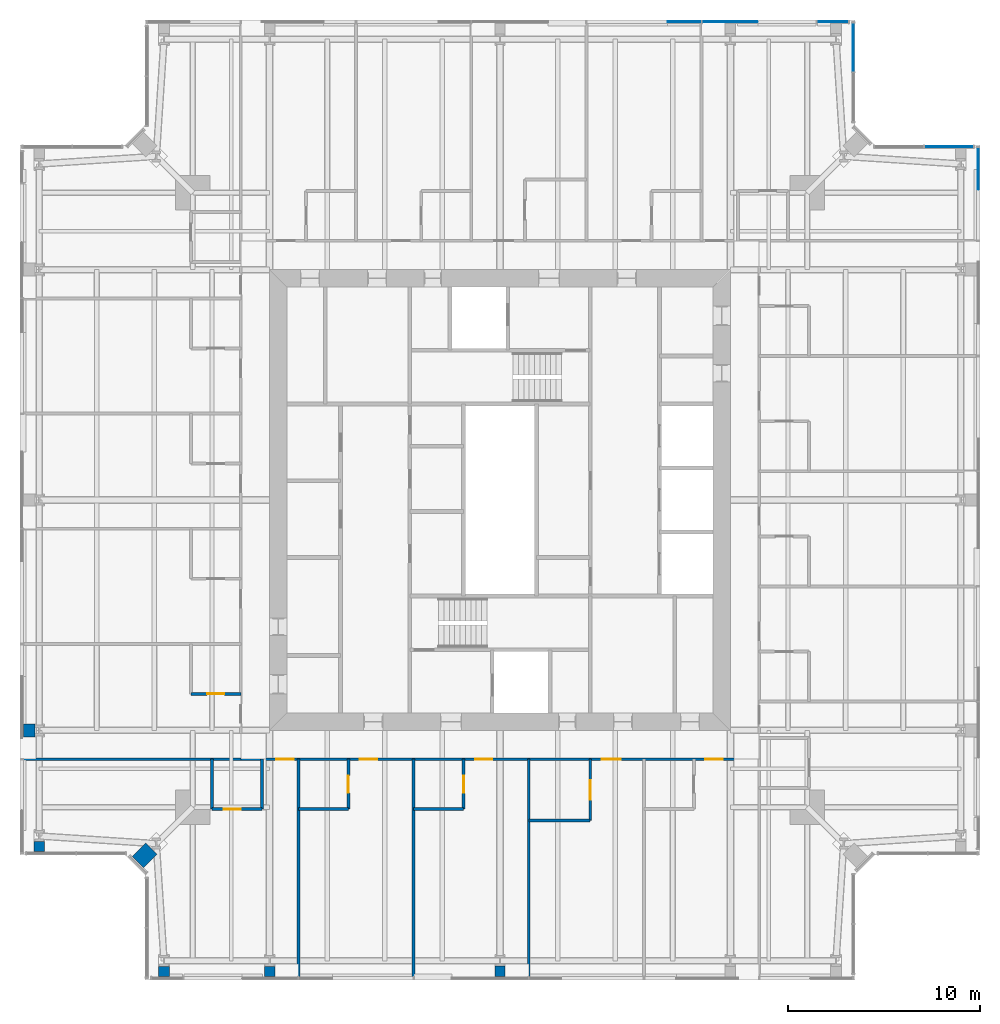
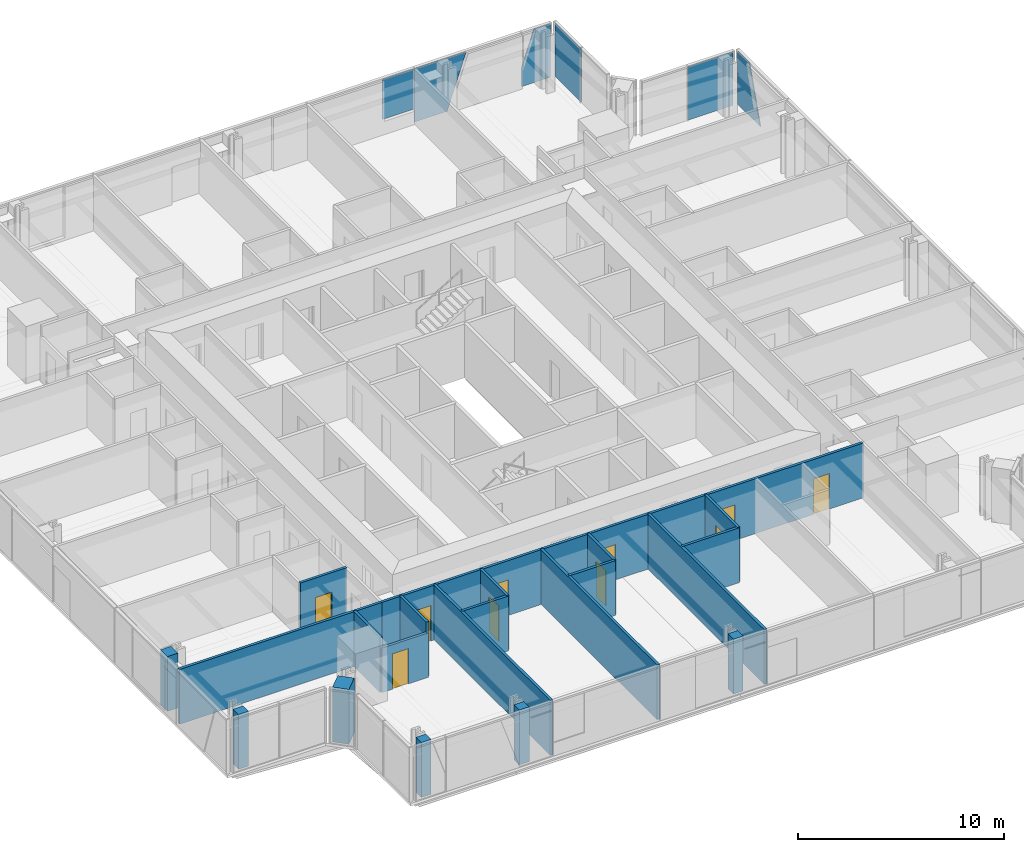
# One storey, part 11 of 20: 21 walls, 10 doors, 6 plates, 10 openings, 4 elements without a shape of their own.
"""IFC4 building model written with IfcOpenShell, lengths in metres."""

from ifc_helpers import new_model, si_unit, direction, frame, frame_2d, origin, origin_2d, place, context, subcontext, project, spatial, polyline, rectangle, outline, extrude, material, layer, layer_set, type_object, element, fill, aggregate, save


model = new_model("IFC4")

# Units and contexts
model_context = context("Model", 3, precision=1e-05, world=origin(), true_north=direction((0.0, 1.0)))
body_context = subcontext(model_context, "Body", "Model", "MODEL_VIEW")
ifc_project = project(units=[si_unit("LENGTHUNIT", "METRE"), si_unit("AREAUNIT", "SQUARE_METRE"), si_unit("VOLUMEUNIT", "CUBIC_METRE"), si_unit("PLANEANGLEUNIT", "RADIAN"), si_unit("MASSUNIT", "GRAM", prefix="KILO")], contexts=[model_context])

# Site, building, storey
site_placement = place(None, origin())
site = spatial("IfcSite", under=ifc_project, at=site_placement, CompositionType="ELEMENT")
building_placement = place(site_placement, origin())
building = spatial("IfcBuilding", under=site, at=building_placement, Name="Fenwick Lantern Interchange", CompositionType="ELEMENT")
storey_placement = place(building_placement, frame((0.0, 0.0, 245.800048828125)))
storey = spatial("IfcBuildingStorey", under=building, at=storey_placement, Name="L57", CompositionType="ELEMENT", Elevation=245.800048828125)

# Curtain wall, plate
ifc_material_1 = material(Name="Aluminium curtain wall frame", Category="aluminium")
curtain_wall_type = type_object("IfcCurtainWallType", Name="HOTEL CURTAIN WALL", PredefinedType="USERDEFINED", material=ifc_material_1)
curtain_wall_1_placement = place(storey_placement, origin())
curtain_wall_1 = element("IfcCurtainWall", 1, at=curtain_wall_1_placement, inside=storey, type_object=curtain_wall_type, Name="Hotel curtain wall 05", ObjectType="HOTEL CURTAIN WALL", PredefinedType="USERDEFINED")
ifc_material_2 = material(Name="Vision glass, acoustic laminated double glazed unit", Category="glass")
ifc_layer_1 = layer(ifc_material_2, 0.052001953125)
ifc_layer_set_1 = layer_set([ifc_layer_1], Name="HOTEL CURTAIN WALL PANEL 52")
plate_type = type_object("IfcPlateType", Name="HOTEL CURTAIN WALL PANEL 52", PredefinedType="CURTAIN_PANEL", material=ifc_layer_set_1)
plate_1_placement = place(storey_placement, frame((49.89990234375, 6.60009765625, 0.0), z_axis=(0.0, 0.0, 1.0), x_axis=(0.0, 1.0, 0.0)))
plate_1 = element("IfcPlate", 2, at=plate_1_placement, type_object=plate_type, Name="L57/CW/05/P06a", PredefinedType="CURTAIN_PANEL", context=body_context, shape_type="SweptSolid", body=[
    extrude(outline(polyline([(34.560791015625, 0.0), (36.739990234375, 0.0), (36.739990234375, 3.14990234375), (35.624267578125, 3.14990234375), (34.560791015625, 0.0)])), frame((0.0, 0.02587890625, 0.0), z_axis=(0.0, -1.0, 0.0), x_axis=(1.0, 0.0, 0.0)), (0.0, 0.0, 1.0), 0.052001953125),
])
aggregate(curtain_wall_1, [plate_1])

curtain_wall_2_placement = place(storey_placement, origin())
curtain_wall_2 = element("IfcCurtainWall", 3, at=curtain_wall_2_placement, inside=storey, type_object=curtain_wall_type, Name="Hotel curtain wall 06", ObjectType="HOTEL CURTAIN WALL", PredefinedType="USERDEFINED")
plate_2_placement = place(storey_placement, frame((48.374755859375, 43.39990234375, 0.0), z_axis=(0.0, 0.0, 1.0), x_axis=(-1.0, 0.0, 0.0)))
plate_2 = element("IfcPlate", 4, at=plate_2_placement, type_object=plate_type, Name="L57/CW/06/P00", PredefinedType="CURTAIN_PANEL", context=body_context, shape_type="SweptSolid", body=[
    extrude(rectangle(XDim=2.53076171875, YDim=0.052001953125, at=origin_2d()), origin(), (0.0, 0.0, 1.0), 3.14990234375),
])
aggregate(curtain_wall_2, [plate_2])

curtain_wall_3_placement = place(storey_placement, origin())
curtain_wall_3 = element("IfcCurtainWall", 5, at=curtain_wall_3_placement, inside=storey, type_object=curtain_wall_type, Name="Hotel curtain wall 08", ObjectType="HOTEL CURTAIN WALL", PredefinedType="USERDEFINED")
plate_3_placement = place(storey_placement, frame((43.39990234375, 48.57470703125, 0.0), z_axis=(0.0, 0.0, 1.0), x_axis=(0.0, 1.0, 0.0)))
plate_3 = element("IfcPlate", 6, at=plate_3_placement, type_object=plate_type, Name="L57/CW/08/P01", PredefinedType="CURTAIN_PANEL", context=body_context, shape_type="SweptSolid", body=[
    extrude(rectangle(XDim=2.53076171875, YDim=0.052001953125, at=origin_2d()), origin(), (0.0, 0.0, 1.0), 3.14990234375),
])
aggregate(curtain_wall_3, [plate_3])

# Curtain wall, plates
curtain_wall_4_placement = place(storey_placement, origin())
curtain_wall_4 = element("IfcCurtainWall", 7, at=curtain_wall_4_placement, inside=storey, type_object=curtain_wall_type, Name="Hotel curtain wall 09", ObjectType="HOTEL CURTAIN WALL", PredefinedType="USERDEFINED")
plate_4_placement = place(storey_placement, frame((43.39990234375, 49.89990234375, 0.0), z_axis=(0.0, 0.0, 1.0), x_axis=(-1.0, 0.0, 0.0)))
plate_4 = element("IfcPlate", 8, at=plate_4_placement, type_object=plate_type, Name="L57/CW/09/P00a", PredefinedType="CURTAIN_PANEL", context=body_context, shape_type="SweptSolid", body=[
    extrude(outline(polyline([(0.260009765625, 0.0), (1.8701171875, 0.0), (1.8701171875, 1.093505859375), (1.17578125, 3.14990234375), (0.260009765625, 3.14990234375), (0.260009765625, 0.0)])), frame((0.0, 0.02587890625, 0.0), z_axis=(0.0, -1.0, 0.0), x_axis=(1.0, 0.0, 0.0)), (0.0, 0.0, 1.0), 0.052001953125),
])
plate_5_placement = place(storey_placement, frame((43.39990234375, 49.89990234375, 0.0), z_axis=(0.0, 0.0, 1.0), x_axis=(-1.0, 0.0, 0.0)))
plate_5 = element("IfcPlate", 9, at=plate_5_placement, type_object=plate_type, Name="L57/CW/09/P01a", PredefinedType="CURTAIN_PANEL", context=body_context, shape_type="SweptSolid", body=[
    extrude(outline(polyline([(6.038818359375, 0.0), (7.8701171875, 0.0), (7.8701171875, 3.14990234375), (4.975341796875, 3.14990234375), (6.038818359375, 0.0)])), frame((0.0, 0.02587890625, 0.0), z_axis=(0.0, -1.0, 0.0), x_axis=(1.0, 0.0, 0.0)), (0.0, 0.0, 1.0), 0.052001953125),
])
plate_6_placement = place(storey_placement, frame((43.39990234375, 49.89990234375, 0.7841796875), z_axis=(0.0, 0.0, 1.0), x_axis=(-1.0, 0.0, 0.0)))
plate_6 = element("IfcPlate", 10, at=plate_6_placement, type_object=plate_type, Name="L57/CW/09/P02a", PredefinedType="CURTAIN_PANEL", context=body_context, shape_type="SweptSolid", body=[
    extrude(outline(polyline([(7.929931640625, 0.0), (9.675048828125, 0.0), (9.675048828125, 2.36572265625), (7.929931640625, 2.36572265625), (7.929931640625, 0.0)])), frame((0.0, 0.02587890625, 0.0), z_axis=(0.0, -1.0, 0.0), x_axis=(1.0, 0.0, 0.0)), (0.0, 0.0, 1.0), 0.052001953125),
])
aggregate(curtain_wall_4, [plate_4, plate_5, plate_6])

# Walls
ifc_material_3 = material(Name="Fire-rated gypsum board encasement on steel studs, 2 hour", Category="steel")
ifc_layer_2 = layer(ifc_material_3, 0.5419921875)
ifc_layer_set_2 = layer_set([ifc_layer_2], Name="COLUMN PIER 542")
wall_type_1 = type_object("IfcWallType", Name="COLUMN PIER 542", PredefinedType="PARTITIONING", material=ifc_layer_set_2)
wall_1_placement = place(storey_placement, frame((25.0, 0.18994140625, 0.0), z_axis=(0.0, 0.0, 1.0), x_axis=(0.0, 1.0, 0.0)))
element("IfcWall", 11, at=wall_1_placement, inside=storey, type_object=wall_type_1, Name="L57/W/PIER/CS3", PredefinedType="PARTITIONING", context=body_context, shape_type="SweptSolid", body=[
    extrude(rectangle(XDim=0.544677734375, YDim=0.5419921875, at=frame_2d((0.2724609375, 0.0))), origin(), (0.0, 0.0, 1.0), 3.25),
])
ifc_layer_3 = layer(ifc_material_3, 0.554931640625)
ifc_layer_set_3 = layer_set([ifc_layer_3], Name="COLUMN PIER 555")
wall_type_2 = type_object("IfcWallType", Name="COLUMN PIER 555", PredefinedType="PARTITIONING", material=ifc_layer_set_3)
for number, where, z_axis, x_axis, name in (
    (12, (7.5, 0.18994140625, 0.0), (0.0, 0.0, 1.0), (0.0, 1.0, 0.0), "L57/W/PIER/CS1"),
    (13, (13.0, 0.18994140625, 0.0), (0.0, 0.0, 1.0), (0.0, 1.0, 0.0), "L57/W/PIER/CS2"),
    (14, (1.0, 6.68994140625, 0.0), (0.0, 0.0, 1.0), (0.0, 1.0, 0.0), "L57/W/PIER/CW5"),
):
    element("IfcWall", number, at=place(storey_placement, frame(where, z_axis=z_axis, x_axis=x_axis)), inside=storey, type_object=wall_type_2, Name=name, PredefinedType="PARTITIONING", context=body_context, shape_type="SweptSolid", body=[
        extrude(rectangle(XDim=0.525634765625, YDim=0.554931640625, at=frame_2d((0.2626953125, 0.0))), origin(), (0.0, 0.0, 1.0), 3.25),
    ])
ifc_layer_4 = layer(ifc_material_3, 0.6689453125)
ifc_layer_set_4 = layer_set([ifc_layer_4], Name="COLUMN PIER 669")
wall_type_3 = type_object("IfcWallType", Name="COLUMN PIER 669", PredefinedType="PARTITIONING", material=ifc_layer_set_4)
wall_2_placement = place(storey_placement, frame((0.18994140625, 13.0, 0.0), z_axis=(0.0, 0.0, 1.0), x_axis=(1.0, 0.0, 0.0)))
element("IfcWall", 15, at=wall_2_placement, inside=storey, type_object=wall_type_3, Name="L57/W/PIER/CW4", PredefinedType="PARTITIONING", context=body_context, shape_type="SweptSolid", body=[
    extrude(rectangle(XDim=0.582763671875, YDim=0.6689453125, at=frame_2d((0.29150390625, 0.0))), origin(), (0.0, 0.0, 1.0), 3.25),
])
ifc_layer_5 = layer(ifc_material_3, 0.823974609375)
ifc_layer_set_5 = layer_set([ifc_layer_5], Name="COLUMN PIER 824")
wall_type_4 = type_object("IfcWallType", Name="COLUMN PIER 824", PredefinedType="PARTITIONING", material=ifc_layer_set_5)
wall_3_placement = place(storey_placement, frame((6.13427734375, 6.13427734375, 0.0), z_axis=(0.0, 0.0, 1.0), x_axis=(0.707106781187, 0.707106781187, 0.0)))
element("IfcWall", 16, at=wall_3_placement, inside=storey, type_object=wall_type_4, Name="L57/W/PIER/CWR", PredefinedType="PARTITIONING", context=body_context, shape_type="SweptSolid", body=[
    extrude(rectangle(XDim=1.003662109375, YDim=0.823974609375, at=frame_2d((0.501953125, 0.0))), origin(), (0.0, 0.0, 1.0), 3.25),
])

# Wall, openings, doors
ifc_material_4 = material(Name="Gypsum board on steel studs, 1 hour", Category="steel")
ifc_layer_6 = layer(ifc_material_4, 0.14990234375)
ifc_layer_set_6 = layer_set([ifc_layer_6], Name="CORRIDOR WALL 150")
wall_type_5 = type_object("IfcWallType", Name="CORRIDOR WALL 150", PredefinedType="PARTITIONING", material=ifc_layer_set_6)
wall_4_placement = place(storey_placement, frame((11.5, 11.5, 0.0), z_axis=(0.0, 0.0, 1.0), x_axis=(1.0, 0.0, 0.0)))
wall_4 = element("IfcWall", 17, at=wall_4_placement, inside=storey, type_object=wall_type_5, Name="L57/W/HOTEL/S/CW", PredefinedType="PARTITIONING", context=body_context, shape_type="SweptSolid", body=[
    extrude(rectangle(XDim=27.0, YDim=0.14990234375, at=frame_2d((13.5, 0.0))), origin(), (0.0, 0.0, 1.0), 3.25),
])
opening_1_placement = place(wall_4_placement, frame((1.85009765625, 0.0, 0.0)))
opening_1 = element("IfcOpeningElement", 18, at=opening_1_placement, cuts=wall_4, Name="Opening L57-D024", PredefinedType="OPENING", context=body_context, shape_type="SweptSolid", body=[
    extrude(rectangle(XDim=0.89990234375, YDim=2.10009765625, at=frame_2d((0.449951171875, 1.050048828125))), frame((0.0, 0.0849609375, 0.0), z_axis=(0.0, -1.0, 0.0), x_axis=(1.0, 0.0, 0.0)), (0.0, 0.0, 1.0), 0.169921875),
])
opening_2_placement = place(wall_4_placement, frame((6.199951171875, 0.0, 0.0)))
opening_2 = element("IfcOpeningElement", 19, at=opening_2_placement, cuts=wall_4, Name="Opening L57-D027", PredefinedType="OPENING", context=body_context, shape_type="SweptSolid", body=[
    extrude(rectangle(XDim=0.89990234375, YDim=2.10009765625, at=frame_2d((0.449951171875, 1.050048828125))), frame((0.0, 0.0849609375, 0.0), z_axis=(0.0, -1.0, 0.0), x_axis=(1.0, 0.0, 0.0)), (0.0, 0.0, 1.0), 0.169921875),
])
opening_3_placement = place(wall_4_placement, frame((12.199951171875, 0.0, 0.0)))
opening_3 = element("IfcOpeningElement", 20, at=opening_3_placement, cuts=wall_4, Name="Opening L57-D029", PredefinedType="OPENING", context=body_context, shape_type="SweptSolid", body=[
    extrude(rectangle(XDim=0.89990234375, YDim=2.10009765625, at=frame_2d((0.449951171875, 1.050048828125))), frame((0.0, 0.0849609375, 0.0), z_axis=(0.0, -1.0, 0.0), x_axis=(1.0, 0.0, 0.0)), (0.0, 0.0, 1.0), 0.169921875),
])
opening_4_placement = place(wall_4_placement, frame((18.800048828125, 0.0, 0.0)))
opening_4 = element("IfcOpeningElement", 21, at=opening_4_placement, cuts=wall_4, Name="Opening L57-D031", PredefinedType="OPENING", context=body_context, shape_type="SweptSolid", body=[
    extrude(rectangle(XDim=1.0, YDim=2.10009765625, at=frame_2d((0.5, 1.050048828125))), frame((0.0, 0.0849609375, 0.0), z_axis=(0.0, -1.0, 0.0), x_axis=(1.0, 0.0, 0.0)), (0.0, 0.0, 1.0), 0.169921875),
])
opening_5_placement = place(wall_4_placement, frame((24.199951171875, 0.0, 0.0)))
opening_5 = element("IfcOpeningElement", 22, at=opening_5_placement, cuts=wall_4, Name="Opening L57-D033", PredefinedType="OPENING", context=body_context, shape_type="SweptSolid", body=[
    extrude(rectangle(XDim=0.89990234375, YDim=2.10009765625, at=frame_2d((0.449951171875, 1.050048828125))), frame((0.0, 0.0849609375, 0.0), z_axis=(0.0, -1.0, 0.0), x_axis=(1.0, 0.0, 0.0)), (0.0, 0.0, 1.0), 0.169921875),
])
ifc_material_5 = material(Name="Steel door and frame", Category="steel")
door_type_1 = type_object("IfcDoorType", Name="GUEST ROOM DOOR 1000 X 2100", OperationType="SINGLE_SWING_LEFT", PredefinedType="DOOR", material=ifc_material_5)
door_1_placement = place(opening_4_placement, frame((1.0, 0.0, 0.0), z_axis=(0.0, 0.0, 1.0), x_axis=(-1.0, 0.0, 0.0)))
door_1 = element("IfcDoor", 23, at=door_1_placement, inside=storey, type_object=door_type_1, Name="Guest room door", OperationType="SINGLE_SWING_RIGHT", OverallHeight=2.10009765625, OverallWidth=1.0, PredefinedType="DOOR", context=body_context, shape_type="SweptSolid", body=[
    extrude(rectangle(XDim=1.0, YDim=2.10009765625, at=frame_2d((0.5, 1.050048828125))), frame((0.0, 0.02490234375, 0.0), z_axis=(0.0, -1.0, 0.0), x_axis=(1.0, 0.0, 0.0)), (0.0, 0.0, 1.0), 0.050048828125),
])
fill(opening_4, door_1)
door_type_2 = type_object("IfcDoorType", Name="GUEST ROOM DOOR 900 X 2100", OperationType="SINGLE_SWING_LEFT", PredefinedType="DOOR", material=ifc_material_5)
door_2_placement = place(opening_1_placement, frame((0.89990234375, 0.0, 0.0), z_axis=(0.0, 0.0, 1.0), x_axis=(-1.0, 0.0, 0.0)))
door_2 = element("IfcDoor", 24, at=door_2_placement, inside=storey, type_object=door_type_2, Name="Guest room door", OperationType="SINGLE_SWING_LEFT", OverallHeight=2.10009765625, OverallWidth=0.89990234375, PredefinedType="DOOR", context=body_context, shape_type="SweptSolid", body=[
    extrude(rectangle(XDim=0.89990234375, YDim=2.10009765625, at=frame_2d((0.449951171875, 1.050048828125))), frame((0.0, 0.02490234375, 0.0), z_axis=(0.0, -1.0, 0.0), x_axis=(1.0, 0.0, 0.0)), (0.0, 0.0, 1.0), 0.050048828125),
])
fill(opening_1, door_2)
door_3_placement = place(opening_2_placement, frame((0.89990234375, 0.0, 0.0), z_axis=(0.0, 0.0, 1.0), x_axis=(-1.0, 0.0, 0.0)))
door_3 = element("IfcDoor", 25, at=door_3_placement, inside=storey, type_object=door_type_2, Name="Guest room door", OperationType="SINGLE_SWING_RIGHT", OverallHeight=2.10009765625, OverallWidth=0.89990234375, PredefinedType="DOOR", context=body_context, shape_type="SweptSolid", body=[
    extrude(rectangle(XDim=0.89990234375, YDim=2.10009765625, at=frame_2d((0.449951171875, 1.050048828125))), frame((0.0, 0.02490234375, 0.0), z_axis=(0.0, -1.0, 0.0), x_axis=(1.0, 0.0, 0.0)), (0.0, 0.0, 1.0), 0.050048828125),
])
fill(opening_2, door_3)
door_4_placement = place(opening_3_placement, frame((0.89990234375, 0.0, 0.0), z_axis=(0.0, 0.0, 1.0), x_axis=(-1.0, 0.0, 0.0)))
door_4 = element("IfcDoor", 26, at=door_4_placement, inside=storey, type_object=door_type_2, Name="Guest room door", OperationType="SINGLE_SWING_RIGHT", OverallHeight=2.10009765625, OverallWidth=0.89990234375, PredefinedType="DOOR", context=body_context, shape_type="SweptSolid", body=[
    extrude(rectangle(XDim=0.89990234375, YDim=2.10009765625, at=frame_2d((0.449951171875, 1.050048828125))), frame((0.0, 0.02490234375, 0.0), z_axis=(0.0, -1.0, 0.0), x_axis=(1.0, 0.0, 0.0)), (0.0, 0.0, 1.0), 0.050048828125),
])
fill(opening_3, door_4)
door_5_placement = place(opening_5_placement, frame((0.89990234375, 0.0, 0.0), z_axis=(0.0, 0.0, 1.0), x_axis=(-1.0, 0.0, 0.0)))
door_5 = element("IfcDoor", 27, at=door_5_placement, inside=storey, type_object=door_type_2, Name="Guest room door", OperationType="SINGLE_SWING_RIGHT", OverallHeight=2.10009765625, OverallWidth=0.89990234375, PredefinedType="DOOR", context=body_context, shape_type="SweptSolid", body=[
    extrude(rectangle(XDim=0.89990234375, YDim=2.10009765625, at=frame_2d((0.449951171875, 1.050048828125))), frame((0.0, 0.02490234375, 0.0), z_axis=(0.0, -1.0, 0.0), x_axis=(1.0, 0.0, 0.0)), (0.0, 0.0, 1.0), 0.050048828125),
])
fill(opening_5, door_5)

# Wall, opening, door
ifc_material_6 = material(Name="Gypsum board on steel studs, moisture resistant", Category="steel")
ifc_layer_7 = layer(ifc_material_6, 0.14990234375)
ifc_layer_set_7 = layer_set([ifc_layer_7], Name="EN-SUITE WALL 150")
wall_type_6 = type_object("IfcWallType", Name="EN-SUITE WALL 150", PredefinedType="PARTITIONING", material=ifc_layer_set_7)
wall_5_placement = place(storey_placement, frame((10.0, 8.89990234375, 0.0), z_axis=(0.0, 0.0, 1.0), x_axis=(1.0, 0.0, 0.0)))
wall_5 = element("IfcWall", 28, at=wall_5_placement, inside=storey, type_object=wall_type_6, Name="L57/W/HOTEL/S/U1BW", PredefinedType="PARTITIONING", context=body_context, shape_type="SweptSolid", body=[
    extrude(rectangle(XDim=2.60009765625, YDim=0.14990234375, at=frame_2d((1.300048828125, 0.0))), origin(), (0.0, 0.0, 1.0), 2.6376953125),
])
opening_6_placement = place(wall_5_placement, frame((0.60009765625, 0.0, 0.0)))
opening_6 = element("IfcOpeningElement", 29, at=opening_6_placement, cuts=wall_5, Name="Opening L57-D025", PredefinedType="OPENING", context=body_context, shape_type="SweptSolid", body=[
    extrude(rectangle(XDim=0.89990234375, YDim=2.10009765625, at=frame_2d((0.449951171875, 1.050048828125))), frame((0.0, 0.0849609375, 0.0), z_axis=(0.0, -1.0, 0.0), x_axis=(1.0, 0.0, 0.0)), (0.0, 0.0, 1.0), 0.169921875),
])
ifc_material_7 = material(Name="Hardwood door and steel frame", Category="steel")
door_type_3 = type_object("IfcDoorType", Name="EN-SUITE DOOR 900 X 2100", OperationType="SINGLE_SWING_LEFT", PredefinedType="DOOR", material=ifc_material_7)
door_6_placement = place(opening_6_placement, origin())
door_6 = element("IfcDoor", 30, at=door_6_placement, inside=storey, type_object=door_type_3, Name="En-suite door", OperationType="SINGLE_SWING_LEFT", OverallHeight=2.10009765625, OverallWidth=0.89990234375, PredefinedType="DOOR", context=body_context, shape_type="SweptSolid", body=[
    extrude(rectangle(XDim=0.89990234375, YDim=2.10009765625, at=frame_2d((0.449951171875, 1.050048828125))), frame((0.0, 0.02490234375, 0.0), z_axis=(0.0, -1.0, 0.0), x_axis=(1.0, 0.0, 0.0)), (0.0, 0.0, 1.0), 0.050048828125),
])
fill(opening_6, door_6)

# Walls
for number, where, z_axis, x_axis, name in (
    (31, (10.0, 8.89990234375, 0.0), (0.0, 0.0, 1.0), (0.0, 1.0, 0.0), "L57/W/HOTEL/S/U1BX"),
    (32, (12.60009765625, 8.89990234375, 0.0), (0.0, 0.0, 1.0), (0.0, 1.0, 0.0), "L57/W/HOTEL/S/U1BE"),
    (33, (14.5, 8.89990234375, 0.0), (0.0, 0.0, 1.0), (1.0, 0.0, 0.0), "L57/W/HOTEL/S/U2BW"),
):
    element("IfcWall", number, at=place(storey_placement, frame(where, z_axis=z_axis, x_axis=x_axis)), inside=storey, type_object=wall_type_6, Name=name, PredefinedType="PARTITIONING", context=body_context, shape_type="SweptSolid", body=[
        extrude(rectangle(XDim=2.60009765625, YDim=0.14990234375, at=frame_2d((1.300048828125, 0.0))), origin(), (0.0, 0.0, 1.0), 3.25),
    ])

# Wall, opening, door
wall_6_placement = place(storey_placement, frame((17.10009765625, 8.89990234375, 0.0), z_axis=(0.0, 0.0, 1.0), x_axis=(0.0, 1.0, 0.0)))
wall_6 = element("IfcWall", 34, at=wall_6_placement, inside=storey, type_object=wall_type_6, Name="L57/W/HOTEL/S/U2BX", PredefinedType="PARTITIONING", context=body_context, shape_type="SweptSolid", body=[
    extrude(rectangle(XDim=2.60009765625, YDim=0.14990234375, at=frame_2d((1.300048828125, 0.0))), origin(), (0.0, 0.0, 1.0), 3.25),
])
opening_7_placement = place(wall_6_placement, frame((0.85009765625, 0.0, 0.0)))
opening_7 = element("IfcOpeningElement", 35, at=opening_7_placement, cuts=wall_6, Name="Opening L57-D026", PredefinedType="OPENING", context=body_context, shape_type="SweptSolid", body=[
    extrude(rectangle(XDim=0.89990234375, YDim=2.10009765625, at=frame_2d((0.449951171875, 1.050048828125))), frame((0.0, 0.0849609375, 0.0), z_axis=(0.0, -1.0, 0.0), x_axis=(1.0, 0.0, 0.0)), (0.0, 0.0, 1.0), 0.169921875),
])
door_7_placement = place(opening_7_placement, origin())
door_7 = element("IfcDoor", 36, at=door_7_placement, inside=storey, type_object=door_type_3, Name="En-suite door", OperationType="SINGLE_SWING_LEFT", OverallHeight=2.10009765625, OverallWidth=0.89990234375, PredefinedType="DOOR", context=body_context, shape_type="SweptSolid", body=[
    extrude(rectangle(XDim=0.89990234375, YDim=2.10009765625, at=frame_2d((0.449951171875, 1.050048828125))), frame((0.0, 0.02490234375, 0.0), z_axis=(0.0, -1.0, 0.0), x_axis=(1.0, 0.0, 0.0)), (0.0, 0.0, 1.0), 0.050048828125),
])
fill(opening_7, door_7)

# Wall
wall_7_placement = place(storey_placement, frame((20.5, 8.89990234375, 0.0), z_axis=(0.0, 0.0, 1.0), x_axis=(1.0, 0.0, 0.0)))
element("IfcWall", 37, at=wall_7_placement, inside=storey, type_object=wall_type_6, Name="L57/W/HOTEL/S/U3BW", PredefinedType="PARTITIONING", context=body_context, shape_type="SweptSolid", body=[
    extrude(rectangle(XDim=2.60009765625, YDim=0.14990234375, at=frame_2d((1.300048828125, 0.0))), origin(), (0.0, 0.0, 1.0), 3.25),
])

# Wall, opening, door
wall_8_placement = place(storey_placement, frame((23.10009765625, 8.89990234375, 0.0), z_axis=(0.0, 0.0, 1.0), x_axis=(0.0, 1.0, 0.0)))
wall_8 = element("IfcWall", 38, at=wall_8_placement, inside=storey, type_object=wall_type_6, Name="L57/W/HOTEL/S/U3BX", PredefinedType="PARTITIONING", context=body_context, shape_type="SweptSolid", body=[
    extrude(rectangle(XDim=2.60009765625, YDim=0.14990234375, at=frame_2d((1.300048828125, 0.0))), origin(), (0.0, 0.0, 1.0), 3.25),
])
opening_8_placement = place(wall_8_placement, frame((0.85009765625, 0.0, 0.0)))
opening_8 = element("IfcOpeningElement", 39, at=opening_8_placement, cuts=wall_8, Name="Opening L57-D028", PredefinedType="OPENING", context=body_context, shape_type="SweptSolid", body=[
    extrude(rectangle(XDim=0.89990234375, YDim=2.10009765625, at=frame_2d((0.449951171875, 1.050048828125))), frame((0.0, 0.0849609375, 0.0), z_axis=(0.0, -1.0, 0.0), x_axis=(1.0, 0.0, 0.0)), (0.0, 0.0, 1.0), 0.169921875),
])
door_8_placement = place(opening_8_placement, origin())
door_8 = element("IfcDoor", 40, at=door_8_placement, inside=storey, type_object=door_type_3, Name="En-suite door", OperationType="SINGLE_SWING_LEFT", OverallHeight=2.10009765625, OverallWidth=0.89990234375, PredefinedType="DOOR", context=body_context, shape_type="SweptSolid", body=[
    extrude(rectangle(XDim=0.89990234375, YDim=2.10009765625, at=frame_2d((0.449951171875, 1.050048828125))), frame((0.0, 0.02490234375, 0.0), z_axis=(0.0, -1.0, 0.0), x_axis=(1.0, 0.0, 0.0)), (0.0, 0.0, 1.0), 0.050048828125),
])
fill(opening_8, door_8)

# Wall
wall_9_placement = place(storey_placement, frame((26.5, 8.300048828125, 0.0), z_axis=(0.0, 0.0, 1.0), x_axis=(1.0, 0.0, 0.0)))
element("IfcWall", 41, at=wall_9_placement, inside=storey, type_object=wall_type_6, Name="L57/W/HOTEL/S/U4BW", PredefinedType="PARTITIONING", context=body_context, shape_type="SweptSolid", body=[
    extrude(rectangle(XDim=3.199951171875, YDim=0.14990234375, at=frame_2d((1.60009765625, 0.0))), origin(), (0.0, 0.0, 1.0), 3.25),
])

# Wall, opening, door
wall_10_placement = place(storey_placement, frame((29.699951171875, 8.300048828125, 0.0), z_axis=(0.0, 0.0, 1.0), x_axis=(0.0, 1.0, 0.0)))
wall_10 = element("IfcWall", 42, at=wall_10_placement, inside=storey, type_object=wall_type_6, Name="L57/W/HOTEL/S/U4BX", PredefinedType="PARTITIONING", context=body_context, shape_type="SweptSolid", body=[
    extrude(rectangle(XDim=3.199951171875, YDim=0.14990234375, at=frame_2d((1.60009765625, 0.0))), origin(), (0.0, 0.0, 1.0), 3.25),
])
opening_9_placement = place(wall_10_placement, frame((1.10009765625, 0.0, 0.0)))
opening_9 = element("IfcOpeningElement", 43, at=opening_9_placement, cuts=wall_10, Name="Opening L57-D030", PredefinedType="OPENING", context=body_context, shape_type="SweptSolid", body=[
    extrude(rectangle(XDim=1.0, YDim=2.10009765625, at=frame_2d((0.5, 1.050048828125))), frame((0.0, 0.0849609375, 0.0), z_axis=(0.0, -1.0, 0.0), x_axis=(1.0, 0.0, 0.0)), (0.0, 0.0, 1.0), 0.169921875),
])
door_type_4 = type_object("IfcDoorType", Name="EN-SUITE DOOR 1000 X 2100", OperationType="SINGLE_SWING_LEFT", PredefinedType="DOOR", material=ifc_material_7)
door_9_placement = place(opening_9_placement, origin())
door_9 = element("IfcDoor", 44, at=door_9_placement, inside=storey, type_object=door_type_4, Name="En-suite door", OperationType="SINGLE_SWING_LEFT", OverallHeight=2.10009765625, OverallWidth=1.0, PredefinedType="DOOR", context=body_context, shape_type="SweptSolid", body=[
    extrude(rectangle(XDim=1.0, YDim=2.10009765625, at=frame_2d((0.5, 1.050048828125))), frame((0.0, 0.02490234375, 0.0), z_axis=(0.0, -1.0, 0.0), x_axis=(1.0, 0.0, 0.0)), (0.0, 0.0, 1.0), 0.050048828125),
])
fill(opening_9, door_9)

wall_11_placement = place(storey_placement, frame((8.89990234375, 14.89990234375, 0.0), z_axis=(0.0, 0.0, 1.0), x_axis=(1.0, 0.0, 0.0)))
wall_11 = element("IfcWall", 45, at=wall_11_placement, inside=storey, type_object=wall_type_6, Name="L57/W/HOTEL/W/U5BX", PredefinedType="PARTITIONING", context=body_context, shape_type="SweptSolid", body=[
    extrude(rectangle(XDim=2.60009765625, YDim=0.14990234375, at=frame_2d((1.300048828125, 0.0))), origin(), (0.0, 0.0, 1.0), 3.25),
])
opening_10_placement = place(wall_11_placement, frame((0.85009765625, 0.0, 0.0)))
opening_10 = element("IfcOpeningElement", 46, at=opening_10_placement, cuts=wall_11, Name="Opening L57-D062", PredefinedType="OPENING", context=body_context, shape_type="SweptSolid", body=[
    extrude(rectangle(XDim=0.89990234375, YDim=2.10009765625, at=frame_2d((0.449951171875, 1.050048828125))), frame((0.0, 0.0849609375, 0.0), z_axis=(0.0, -1.0, 0.0), x_axis=(1.0, 0.0, 0.0)), (0.0, 0.0, 1.0), 0.169921875),
])
door_10_placement = place(opening_10_placement, origin())
door_10 = element("IfcDoor", 47, at=door_10_placement, inside=storey, type_object=door_type_3, Name="En-suite door", OperationType="SINGLE_SWING_LEFT", OverallHeight=2.10009765625, OverallWidth=0.89990234375, PredefinedType="DOOR", context=body_context, shape_type="SweptSolid", body=[
    extrude(rectangle(XDim=0.89990234375, YDim=2.10009765625, at=frame_2d((0.449951171875, 1.050048828125))), frame((0.0, 0.02490234375, 0.0), z_axis=(0.0, -1.0, 0.0), x_axis=(1.0, 0.0, 0.0)), (0.0, 0.0, 1.0), 0.050048828125),
])
fill(opening_10, door_10)

# Walls
ifc_material_8 = material(Name="Gypsum board on steel studs, 1 hour acoustic", Category="steel")
ifc_layer_8 = layer(ifc_material_8, 0.14990234375)
ifc_layer_set_8 = layer_set([ifc_layer_8], Name="PARTY WALL 150")
wall_type_7 = type_object("IfcWallType", Name="PARTY WALL 150", PredefinedType="PARTITIONING", material=ifc_layer_set_8)
for number, where, z_axis, x_axis, name in (
    (48, (0.14990234375, 11.5, 0.0), (0.0, 0.0, 1.0), (1.0, 0.0, 0.0), "L57/W/HOTEL/S/SW3"),
    (49, (14.5, 0.14990234375, 0.0), (0.0, 0.0, 1.0), (0.0, 1.0, 0.0), "L57/W/HOTEL/S/U2PW"),
    (50, (20.5, 0.14990234375, 0.0), (0.0, 0.0, 1.0), (0.0, 1.0, 0.0), "L57/W/HOTEL/S/U3PW"),
    (51, (26.5, 0.14990234375, 0.0), (0.0, 0.0, 1.0), (0.0, 1.0, 0.0), "L57/W/HOTEL/S/U4PW"),
):
    element("IfcWall", number, at=place(storey_placement, frame(where, z_axis=z_axis, x_axis=x_axis)), inside=storey, type_object=wall_type_7, Name=name, PredefinedType="PARTITIONING", context=body_context, shape_type="SweptSolid", body=[
        extrude(rectangle(XDim=11.35009765625, YDim=0.14990234375, at=frame_2d((5.675048828125, 0.0))), origin(), (0.0, 0.0, 1.0), 3.25),
    ])

save(model, "model.ifc")
